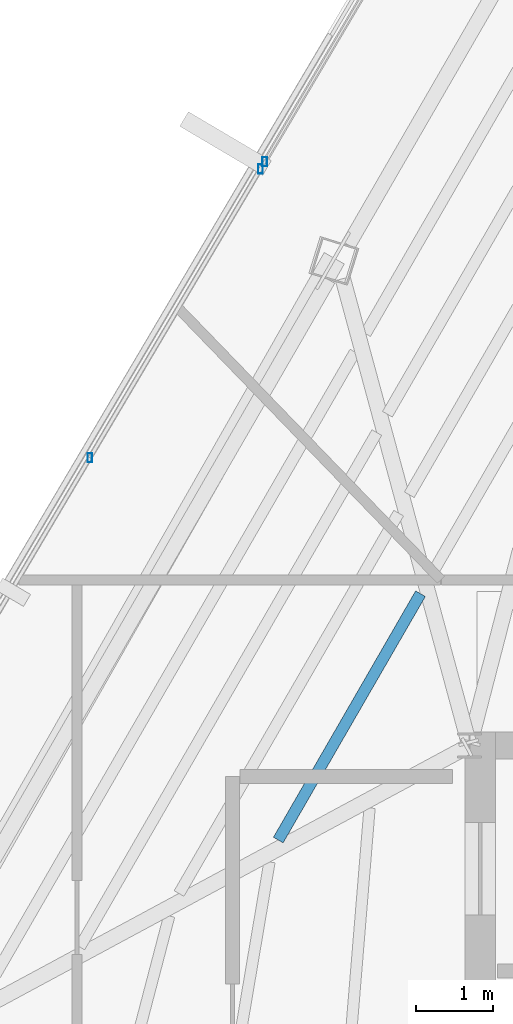
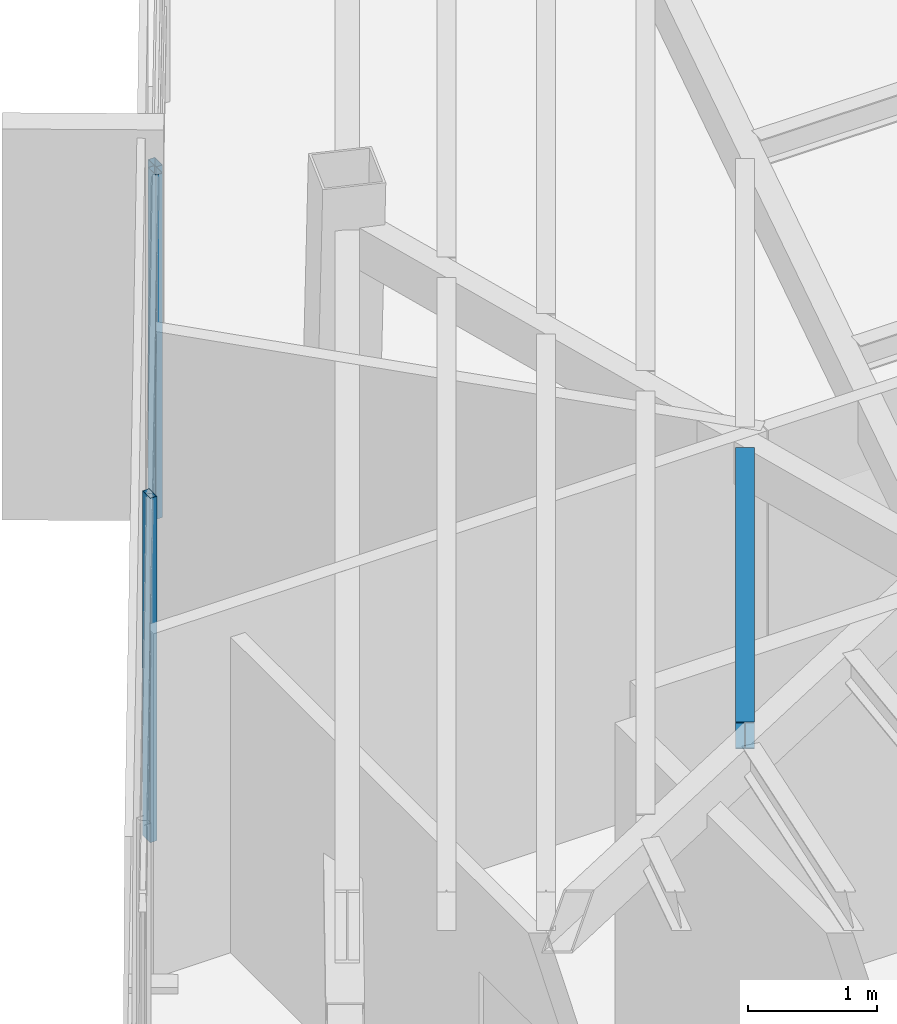
# One storey, part 19 of 44: 3 members, 1 beam, 2 elements without a shape of their own.
"""IFC4 building model written with IfcOpenShell, lengths in metres."""

from ifc_helpers import new_model, si_unit, direction, frame, origin, origin_2d, place, context, subcontext, project, spatial, hollow_rectangle, i_section, extrude, source, transform, mapped, material, material_profile, profile_set, type_object, type_shapes, element, aggregate, save


model = new_model("IFC4")

# Units and contexts
model_context = context("Model", 3, precision=1e-05, world=origin(), true_north=direction((0.0, 1.0)))
body_context = subcontext(model_context, "Body", "Model", "MODEL_VIEW")
ifc_project = project(units=[si_unit("LENGTHUNIT", "METRE"), si_unit("AREAUNIT", "SQUARE_METRE"), si_unit("VOLUMEUNIT", "CUBIC_METRE"), si_unit("PLANEANGLEUNIT", "RADIAN"), si_unit("MASSUNIT", "GRAM", prefix="KILO")], contexts=[model_context])

# Site, building, storey
site_placement = place(None, origin())
site = spatial("IfcSite", under=ifc_project, at=site_placement, CompositionType="ELEMENT")
building_placement = place(site_placement, origin())
building = spatial("IfcBuilding", under=site, at=building_placement, Name="Caelisora Broadcast Tower", CompositionType="ELEMENT")
storey_placement = place(building_placement, frame((0.0, 0.0, 280.949951171875)))
storey = spatial("IfcBuildingStorey", under=building, at=storey_placement, Name="L74", CompositionType="ELEMENT", Elevation=280.949951171875)

# Beam
ifc_material_1 = material(Name="Steel Grade 350 (AS/NZS 3679.1)", Category="steel")
ifc_material_profile_1 = material_profile(ifc_material_1, i_section(OverallWidth=0.14599609375, OverallDepth=0.256103515625, WebThickness=0.00634765625, FlangeThickness=0.010986328125, at=origin_2d()), Name="Steel Grade 350 (AS/NZS 3679.1)")
ifc_profile_set_1 = profile_set([ifc_material_profile_1], Name="Steel Grade 350 (AS/NZS 3679.1)")
beam_type = type_object("IfcBeamType", Name="SB04", PredefinedType="JOIST", material=ifc_profile_set_1)
shared_shape_1 = source(origin(), body_context, "Body", "SweptSolid", [
    extrude(i_section(OverallWidth=0.14599609375, OverallDepth=0.256103515625, WebThickness=0.00634765625, FlangeThickness=0.010986328125, at=origin_2d()), origin(), (0.0, 0.0, 1.0), 3.695556640625),
])
type_shapes(beam_type, [shared_shape_1])
beam_placement = place(storey_placement, frame((29.863037109375, 31.97314453125, 3.1220703125), z_axis=(-0.499975984768, -0.866039268541, 0.0), x_axis=(0.866039268541, -0.499975984768, 0.0)))
element("IfcBeam", 1, at=beam_placement, inside=storey, type_object=beam_type, Name="L74 beam SB04", PredefinedType="JOIST", context=body_context, shape_type="MappedRepresentation", body=[
    mapped(shared_shape_1, transform((0.0, 0.0, 0.0), scale=1.0)),
])

# Curtain wall, members
ifc_material_2 = material(Name="Unitised Aluminium Insulated Shadow-Box Spandrel Curtain Wall", Category="aluminium")
curtain_wall_type_1 = type_object("IfcCurtainWallType", Name="CW-SP3", PredefinedType="NOTDEFINED", material=ifc_material_2)
curtain_wall_1_placement = place(storey_placement, origin())
curtain_wall_1 = element("IfcCurtainWall", 2, at=curtain_wall_1_placement, inside=storey, type_object=curtain_wall_type_1, Name="L74 curtain wall CW-SP3", PredefinedType="NOTDEFINED")
ifc_material_3 = material(Name="Aluminium 6063-T6 Anodised Terracotta Bronze", Category="aluminium")
ifc_material_profile_2 = material_profile(ifc_material_3, hollow_rectangle(XDim=0.06005859375, YDim=0.1201171875, WallThickness=0.0029296875, at=origin_2d()), Name="Aluminium 6063-T6 Anodised Terracotta Bronze")
ifc_profile_set_2 = profile_set([ifc_material_profile_2], Name="Aluminium 6063-T6 Anodised Terracotta Bronze")
member_type = type_object("IfcMemberType", Name="CWM-04", PredefinedType="MULLION", material=ifc_profile_set_2)
shared_shape_2 = source(origin(), body_context, "Body", "SweptSolid", [
    extrude(hollow_rectangle(XDim=0.06005859375, YDim=0.1201171875, WallThickness=0.0029296875, at=origin_2d()), origin(), (0.0, 0.0, 1.0), 3.25),
])
type_shapes(member_type, [shared_shape_2])
member_1_placement = place(storey_placement, frame((25.56787109375, 33.73876953125, 0.0), z_axis=(0.0, 0.0, 1.0), x_axis=(1.0, 0.0, 0.0)))
member_1 = element("IfcMember", 3, at=member_1_placement, type_object=member_type, Name="L74-CW-B10 mullion #2", PredefinedType="MULLION", context=body_context, shape_type="MappedRepresentation", body=[
    mapped(shared_shape_2, transform((0.0, 0.0, 0.0), scale=1.0)),
])
member_2_placement = place(storey_placement, frame((27.78369140625, 37.489501953125, 0.0), z_axis=(0.0, 0.0, 1.0), x_axis=(1.0, 0.0, 0.0)))
member_2 = element("IfcMember", 4, at=member_2_placement, type_object=member_type, Name="L74-CW-B10 mullion #3", PredefinedType="MULLION", context=body_context, shape_type="MappedRepresentation", body=[
    mapped(shared_shape_2, transform((0.0, 0.0, 0.0), scale=1.0)),
])
aggregate(curtain_wall_1, [member_1, member_2])

# Curtain wall, member
ifc_material_4 = material(Name="Unitised Aluminium and Low-E Glass Curtain Wall", Category="glass")
curtain_wall_type_2 = type_object("IfcCurtainWallType", Name="CW-Z5", PredefinedType="NOTDEFINED", material=ifc_material_4)
curtain_wall_2_placement = place(storey_placement, origin())
curtain_wall_2 = element("IfcCurtainWall", 5, at=curtain_wall_2_placement, inside=storey, type_object=curtain_wall_type_2, Name="L74 curtain wall CW-Z5", PredefinedType="NOTDEFINED")
member_3_placement = place(storey_placement, frame((27.839599609375, 37.583984375, 0.0), z_axis=(0.0, 0.0, 1.0), x_axis=(1.0, 0.0, 0.0)))
member_3 = element("IfcMember", 6, at=member_3_placement, type_object=member_type, Name="L74-CW-B11 mullion #0", PredefinedType="MULLION", context=body_context, shape_type="MappedRepresentation", body=[
    mapped(shared_shape_2, transform((0.0, 0.0, 0.0), scale=1.0)),
])
aggregate(curtain_wall_2, [member_3])

save(model, "model.ifc")
